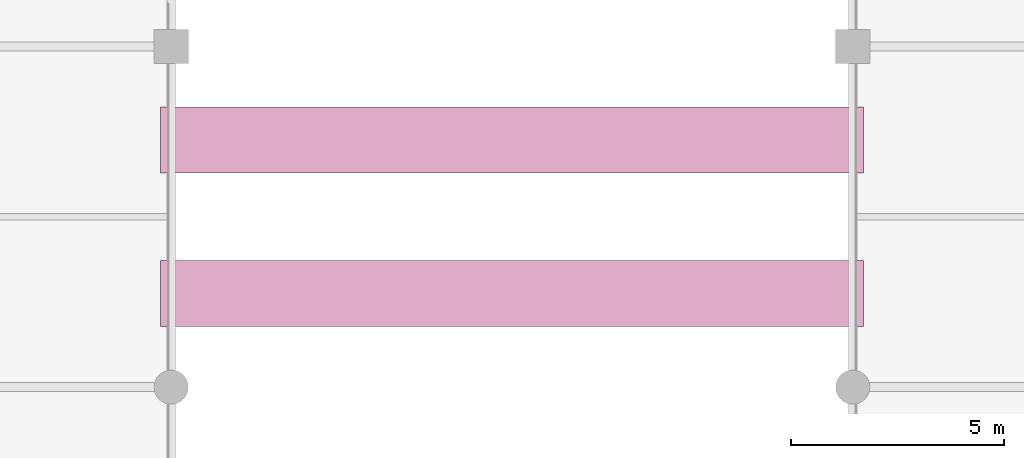
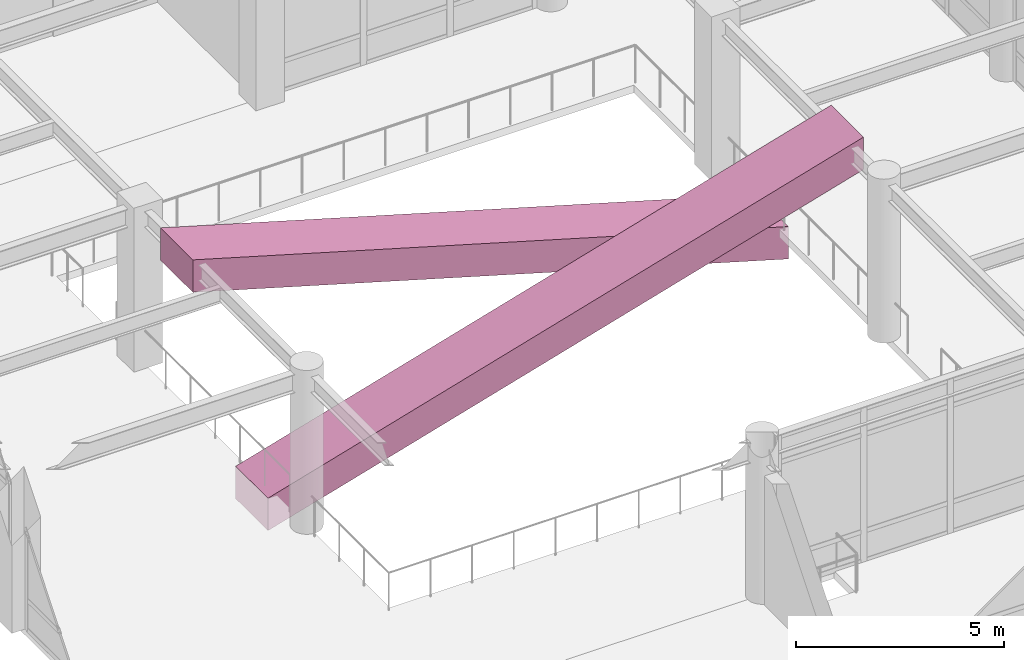
# One storey, part 117 of 117: 2 transport elements.
"""IFC4 building model written with IfcOpenShell, lengths in metres."""

import ifcopenshell
import ifcopenshell.guid

model = None  # the IFC model being written
_history = None  # IfcOwnerHistory: only IFC2X3 demands one
_inside = {}  # id of a spatial element -> (the spatial element, [elements in it])
_under = {}  # id of a project, library or spatial element -> (it, [spatial elements below it])
_declared = {}  # id of a project -> (the project, [libraries it declares])
_typed = {}  # id of a type object -> (the type object, [elements of that type])
_made_of = {}  # id of a material, layer set ... -> (it, [elements and type objects made of it])


def new_model(schema):
    """Start an empty IFC model of exactly this schema.

    Asked for "IFC4X3", IfcOpenShell would pick the latest addendum, in which some entities
    have other attributes; the version numbers below select the first issue.
    IFC2X3 requires an IfcOwnerHistory on every rooted entity: one is made here for all.
    """
    global model, _history
    if schema == "IFC4X3":
        model = ifcopenshell.file(schema_version=(4, 3, 0, 0))
    else:
        model = ifcopenshell.file(schema=schema)
    _inside.clear()
    _under.clear()
    _declared.clear()
    _typed.clear()
    _made_of.clear()
    _history = None
    if model.schema == "IFC2X3":
        org = make("IfcOrganization", Name="unknown")
        user = make(
            "IfcPersonAndOrganization",
            ThePerson=make("IfcPerson", FamilyName="unknown"),
            TheOrganization=org,
        )
        app = make(
            "IfcApplication",
            ApplicationDeveloper=org,
            Version="unknown",
            ApplicationFullName="unknown",
            ApplicationIdentifier="unknown",
        )
        _history = make(
            "IfcOwnerHistory",
            OwningUser=user,
            OwningApplication=app,
            ChangeAction="ADDED",
            CreationDate=0,
        )
    return model


def make(cls, **values):
    """One entity of the class cls with the attributes given. An attribute that is None is left unset."""
    return model.create_entity(
        cls, **{name: value for name, value in values.items() if value is not None}
    )


def rooted(cls, **values):
    """An entity with a GlobalId (a new one), such as an element, a storey or a relation."""
    return make(cls, GlobalId=ifcopenshell.guid.new(), OwnerHistory=_history, **values)


def si_unit(unit_type, name, prefix=None):
    """IfcSIUnit, for example si_unit("LENGTHUNIT", "METRE", prefix="MILLI")."""
    return make("IfcSIUnit", UnitType=unit_type, Prefix=prefix, Name=name)


def assignment(units):
    """IfcUnitAssignment: the units of a project."""
    return None if units is None else make("IfcUnitAssignment", Units=units)


def point(xyz):
    """IfcCartesianPoint."""
    return None if xyz is None else make("IfcCartesianPoint", Coordinates=xyz)


def direction(xyz):
    """IfcDirection."""
    return None if xyz is None else make("IfcDirection", DirectionRatios=xyz)


def frame(location, z_axis=None, x_axis=None):
    """IfcAxis2Placement3D, a coordinate frame: its origin and axes. An axis left out is left unset."""
    return make(
        "IfcAxis2Placement3D",
        Location=point(location),
        Axis=direction(z_axis),
        RefDirection=direction(x_axis),
    )


def origin():
    """The frame at (0, 0, 0) with its axes left unset."""
    return frame((0.0, 0.0, 0.0))


def place(relative_to, where):
    """IfcLocalPlacement: puts the frame where relative to a parent placement (None: the world)."""
    return make(
        "IfcLocalPlacement", PlacementRelTo=relative_to, RelativePlacement=where
    )


def context(
    kind, dimensions, precision=None, world=None, true_north=None, identifier=None
):
    """IfcGeometricRepresentationContext, for example the 3D "Model" context."""
    return make(
        "IfcGeometricRepresentationContext",
        ContextIdentifier=identifier,
        ContextType=kind,
        CoordinateSpaceDimension=dimensions,
        Precision=precision,
        WorldCoordinateSystem=world,
        TrueNorth=true_north,
    )


def subcontext(parent, identifier, kind, view, scale=None):
    """IfcGeometricRepresentationSubContext, for example "Body" below "Model"."""
    return make(
        "IfcGeometricRepresentationSubContext",
        ContextIdentifier=identifier,
        ContextType=kind,
        ParentContext=parent,
        TargetScale=scale,
        TargetView=view,
    )


def project(units=None, contexts=None):
    """IfcProject with its units and contexts."""
    return rooted(
        "IfcProject",
        Name="project",
        RepresentationContexts=contexts,
        UnitsInContext=assignment(units),
    )


def spatial(cls, under=None, at=None, **own):
    """A site, building, storey or space (cls), placed at a placement, below another one or the project."""
    s = rooted(cls, ObjectPlacement=at, **own)
    if under is not None:
        _under.setdefault(under.id(), (under, []))[1].append(s)
    return s


def polyline(points):
    """IfcPolyline through the points."""
    return make("IfcPolyline", Points=[point(p) for p in points])


def outline(outer, holes=None, kind="AREA"):
    """IfcArbitraryClosedProfileDef: a profile drawn as a closed curve; with holes, ...WithVoids."""
    if holes is None:
        return make("IfcArbitraryClosedProfileDef", ProfileType=kind, OuterCurve=outer)
    return make(
        "IfcArbitraryProfileDefWithVoids",
        ProfileType=kind,
        OuterCurve=outer,
        InnerCurves=holes,
    )


def extrude(swept, where, along, depth):
    """IfcExtrudedAreaSolid: the profile swept, set in the frame where, extruded along a direction by depth."""
    return make(
        "IfcExtrudedAreaSolid",
        SweptArea=swept,
        Position=where,
        ExtrudedDirection=direction(along),
        Depth=depth,
    )


def shape(context_of_items, identifier, shape_type, items):
    """IfcShapeRepresentation: the items that make up one representation, for example the "Body"."""
    return make(
        "IfcShapeRepresentation",
        ContextOfItems=context_of_items,
        RepresentationIdentifier=identifier,
        RepresentationType=shape_type,
        Items=items,
    )


def material(Name=None, Category=None):
    """IfcMaterial."""
    return make("IfcMaterial", Name=Name, Category=Category)


def made_of(thing, what):
    """Note that an element or type object is made of a material, layer set ...; save() writes the relation."""
    if what is not None:
        _made_of.setdefault(what.id(), (what, []))[1].append(thing)
    return thing


def type_object(cls, material=None, **own):
    """A type object (cls), such as IfcWallType, which elements share."""
    return made_of(rooted(cls, **own), material)


def element(
    cls,
    number,
    at=None,
    inside=None,
    cuts=None,
    type_object=None,
    material=None,
    context=None,
    identifier="Body",
    shape_type=None,
    held_by="IfcProductDefinitionShape",
    body=None,
    shapes=None,
    **own,
):
    """One element of the class cls, such as IfcWall. Its Tag is "e" and its number.

    at: its placement. inside: the storey or other place that contains it. cuts: it is an
    opening in that element (IfcRelVoidsElement). A single representation is given by context,
    identifier, shape_type and body (its items); several are given by shapes. held_by: the class
    of the entity that holds the representations. save() writes the other relations.
    """
    e = rooted(cls, Tag="e%d" % number, ObjectPlacement=at, **own)
    if body is not None:
        shapes = [shape(context, identifier, shape_type, body)]
    if shapes is not None:
        e.Representation = make(held_by, Representations=shapes)
    if inside is not None:
        _inside.setdefault(inside.id(), (inside, []))[1].append(e)
    if cuts is not None:
        rooted(
            "IfcRelVoidsElement", RelatingBuildingElement=cuts, RelatedOpeningElement=e
        )
    if type_object is not None:
        _typed.setdefault(type_object.id(), (type_object, []))[1].append(e)
    return made_of(e, material)


def aggregate(whole, parts):
    """IfcRelAggregates: a whole, such as a stair, and the parts it consists of."""
    return rooted("IfcRelAggregates", RelatingObject=whole, RelatedObjects=parts)


def save(model, path):
    """Write the relations noted so far, then the file.

    IfcRelAggregates (storeys below a building ...), IfcRelContainedInSpatialStructure (elements
    in a storey), IfcRelDefinesByType, IfcRelAssociatesMaterial and IfcRelDeclares: one each for
    every whole, place, type object, material and project.
    """
    for whole, parts in _under.values():
        aggregate(whole, parts)
    for where, things in _inside.values():
        rooted(
            "IfcRelContainedInSpatialStructure",
            RelatedElements=things,
            RelatingStructure=where,
        )
    for kind, things in _typed.values():
        rooted("IfcRelDefinesByType", RelatedObjects=things, RelatingType=kind)
    for what, things in _made_of.values():
        rooted("IfcRelAssociatesMaterial", RelatedObjects=things, RelatingMaterial=what)
    for by, libraries in _declared.values():
        rooted("IfcRelDeclares", RelatingContext=by, RelatedDefinitions=libraries)
    model.write(path)


model = new_model("IFC4")

# Units and contexts
model_context = context("Model", 3, precision=1e-05, world=origin(), true_north=direction((0.0, 1.0)))
body_context = subcontext(model_context, "Body", "Model", "MODEL_VIEW")
ifc_project = project(units=[si_unit("LENGTHUNIT", "METRE"), si_unit("AREAUNIT", "SQUARE_METRE"), si_unit("VOLUMEUNIT", "CUBIC_METRE"), si_unit("PLANEANGLEUNIT", "RADIAN"), si_unit("MASSUNIT", "GRAM", prefix="KILO")], contexts=[model_context])

# Site, building, storey
site_placement = place(None, origin())
site = spatial("IfcSite", under=ifc_project, at=site_placement, CompositionType="ELEMENT")
building_placement = place(site_placement, origin())
building = spatial("IfcBuilding", under=site, at=building_placement, Name="Solmirada Galleria", CompositionType="ELEMENT")
storey_placement = place(building_placement, frame((0.0, 0.0, 5.60009765625)))
storey = spatial("IfcBuildingStorey", under=building, at=storey_placement, Name="L01", CompositionType="ELEMENT", Elevation=5.60009765625)

# Transport elements
ifc_material = material(Name="Stainless-steel and stone elevator cab", Category="masonry")
transport_element_type = type_object("IfcTransportElementType", Name="ESC-ATRIUM-1000", PredefinedType="ESCALATOR", material=ifc_material)
for number, where, z_axis, x_axis, name in (
    (1, (87.85009765625, 58.199951171875, 0.0), (0.0, 0.0, 1.0), (1.0, 0.0, 0.0), "Atrium escalator L01 UP"),
    (2, (104.14990234375, 61.800048828125, 0.0), (0.0, 0.0, 1.0), (-1.0, 0.0, 0.0), "Atrium escalator L01 DN"),
):
    element("IfcTransportElement", number, at=place(storey_placement, frame(where, z_axis=z_axis, x_axis=x_axis)), inside=storey, type_object=transport_element_type, Name=name, PredefinedType="ESCALATOR", context=body_context, shape_type="SweptSolid", body=[
        extrude(outline(polyline([(-0.10009765625, 0.0), (16.400146484375, 4.800048828125), (16.400146484375, 3.85009765625), (-0.10009765625, -0.949951171875), (-0.10009765625, 0.0)])), frame((0.0, 0.77490234375, 0.0), z_axis=(0.0, -1.0, 0.0), x_axis=(1.0, 0.0, 0.0)), (0.0, 0.0, 1.0), 1.550048828125),
    ])

save(model, "model.ifc")
